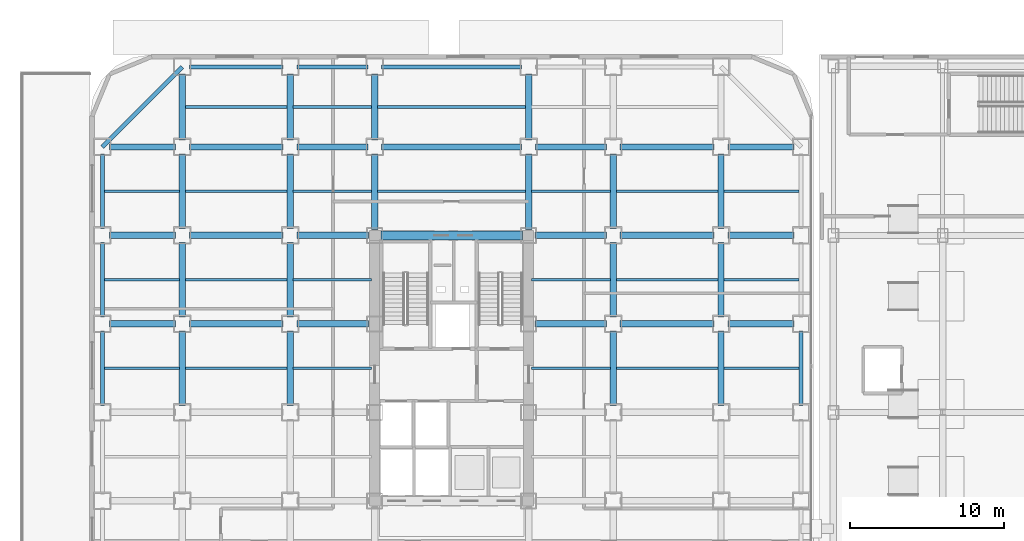
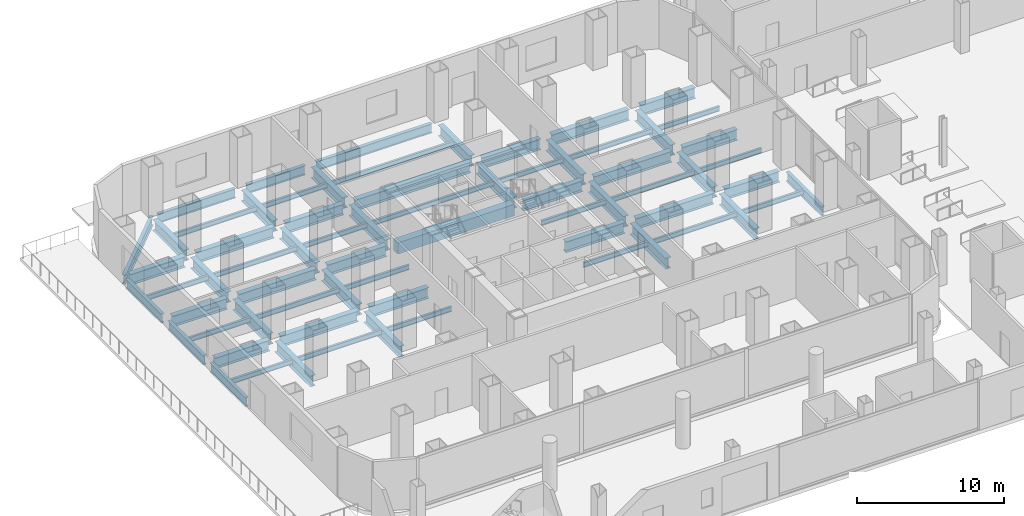
# One storey, part 12 of 31: 68 beams.
"""IFC4 building model written with IfcOpenShell, lengths in metres."""

import ifcopenshell
import ifcopenshell.guid

model = None  # the IFC model being written
_history = None  # IfcOwnerHistory: only IFC2X3 demands one
_inside = {}  # id of a spatial element -> (the spatial element, [elements in it])
_under = {}  # id of a project, library or spatial element -> (it, [spatial elements below it])
_declared = {}  # id of a project -> (the project, [libraries it declares])
_typed = {}  # id of a type object -> (the type object, [elements of that type])
_made_of = {}  # id of a material, layer set ... -> (it, [elements and type objects made of it])


def new_model(schema):
    """Start an empty IFC model of exactly this schema.

    Asked for "IFC4X3", IfcOpenShell would pick the latest addendum, in which some entities
    have other attributes; the version numbers below select the first issue.
    IFC2X3 requires an IfcOwnerHistory on every rooted entity: one is made here for all.
    """
    global model, _history
    if schema == "IFC4X3":
        model = ifcopenshell.file(schema_version=(4, 3, 0, 0))
    else:
        model = ifcopenshell.file(schema=schema)
    _inside.clear()
    _under.clear()
    _declared.clear()
    _typed.clear()
    _made_of.clear()
    _history = None
    if model.schema == "IFC2X3":
        org = make("IfcOrganization", Name="unknown")
        user = make(
            "IfcPersonAndOrganization",
            ThePerson=make("IfcPerson", FamilyName="unknown"),
            TheOrganization=org,
        )
        app = make(
            "IfcApplication",
            ApplicationDeveloper=org,
            Version="unknown",
            ApplicationFullName="unknown",
            ApplicationIdentifier="unknown",
        )
        _history = make(
            "IfcOwnerHistory",
            OwningUser=user,
            OwningApplication=app,
            ChangeAction="ADDED",
            CreationDate=0,
        )
    return model


def make(cls, **values):
    """One entity of the class cls with the attributes given. An attribute that is None is left unset."""
    return model.create_entity(
        cls, **{name: value for name, value in values.items() if value is not None}
    )


def rooted(cls, **values):
    """An entity with a GlobalId (a new one), such as an element, a storey or a relation."""
    return make(cls, GlobalId=ifcopenshell.guid.new(), OwnerHistory=_history, **values)


def si_unit(unit_type, name, prefix=None):
    """IfcSIUnit, for example si_unit("LENGTHUNIT", "METRE", prefix="MILLI")."""
    return make("IfcSIUnit", UnitType=unit_type, Prefix=prefix, Name=name)


def assignment(units):
    """IfcUnitAssignment: the units of a project."""
    return None if units is None else make("IfcUnitAssignment", Units=units)


def point(xyz):
    """IfcCartesianPoint."""
    return None if xyz is None else make("IfcCartesianPoint", Coordinates=xyz)


def direction(xyz):
    """IfcDirection."""
    return None if xyz is None else make("IfcDirection", DirectionRatios=xyz)


def frame(location, z_axis=None, x_axis=None):
    """IfcAxis2Placement3D, a coordinate frame: its origin and axes. An axis left out is left unset."""
    return make(
        "IfcAxis2Placement3D",
        Location=point(location),
        Axis=direction(z_axis),
        RefDirection=direction(x_axis),
    )


def frame_2d(location, x_axis=None):
    """IfcAxis2Placement2D, a coordinate frame in the plane: its origin and x axis."""
    return make(
        "IfcAxis2Placement2D", Location=point(location), RefDirection=direction(x_axis)
    )


def origin():
    """The frame at (0, 0, 0) with its axes left unset."""
    return frame((0.0, 0.0, 0.0))


def origin_2d():
    """The frame at (0, 0) in the plane with its x axis left unset."""
    return frame_2d((0.0, 0.0))


def place(relative_to, where):
    """IfcLocalPlacement: puts the frame where relative to a parent placement (None: the world)."""
    return make(
        "IfcLocalPlacement", PlacementRelTo=relative_to, RelativePlacement=where
    )


def context(
    kind, dimensions, precision=None, world=None, true_north=None, identifier=None
):
    """IfcGeometricRepresentationContext, for example the 3D "Model" context."""
    return make(
        "IfcGeometricRepresentationContext",
        ContextIdentifier=identifier,
        ContextType=kind,
        CoordinateSpaceDimension=dimensions,
        Precision=precision,
        WorldCoordinateSystem=world,
        TrueNorth=true_north,
    )


def subcontext(parent, identifier, kind, view, scale=None):
    """IfcGeometricRepresentationSubContext, for example "Body" below "Model"."""
    return make(
        "IfcGeometricRepresentationSubContext",
        ContextIdentifier=identifier,
        ContextType=kind,
        ParentContext=parent,
        TargetScale=scale,
        TargetView=view,
    )


def project(units=None, contexts=None):
    """IfcProject with its units and contexts."""
    return rooted(
        "IfcProject",
        Name="project",
        RepresentationContexts=contexts,
        UnitsInContext=assignment(units),
    )


def spatial(cls, under=None, at=None, **own):
    """A site, building, storey or space (cls), placed at a placement, below another one or the project."""
    s = rooted(cls, ObjectPlacement=at, **own)
    if under is not None:
        _under.setdefault(under.id(), (under, []))[1].append(s)
    return s


def profile(cls, at=None, kind="AREA", **sizes):
    """A parametric profile (cls). Its sizes go by their IFC names, for example OverallWidth=200.0."""
    return make(cls, ProfileType=kind, Position=at, **sizes)


def rectangle(**sizes):
    """IfcRectangleProfileDef."""
    return profile("IfcRectangleProfileDef", **sizes)


def i_section(**sizes):
    """IfcIShapeProfileDef."""
    return profile("IfcIShapeProfileDef", **sizes)


def extrude(swept, where, along, depth):
    """IfcExtrudedAreaSolid: the profile swept, set in the frame where, extruded along a direction by depth."""
    return make(
        "IfcExtrudedAreaSolid",
        SweptArea=swept,
        Position=where,
        ExtrudedDirection=direction(along),
        Depth=depth,
    )


def shape(context_of_items, identifier, shape_type, items):
    """IfcShapeRepresentation: the items that make up one representation, for example the "Body"."""
    return make(
        "IfcShapeRepresentation",
        ContextOfItems=context_of_items,
        RepresentationIdentifier=identifier,
        RepresentationType=shape_type,
        Items=items,
    )


def source(mapping_origin, context_of_items, identifier, shape_type, items):
    """IfcRepresentationMap: a shape defined once, which mapped items show again and again."""
    return make(
        "IfcRepresentationMap",
        MappingOrigin=mapping_origin,
        MappedRepresentation=shape(context_of_items, identifier, shape_type, items),
    )


def transform(
    local_origin,
    x_axis=None,
    y_axis=None,
    z_axis=None,
    scale=None,
    scale2=None,
    scale3=None,
    uniform=True,
):
    """IfcCartesianTransformationOperator3D, or its non-uniform kind. x_axis, y_axis, z_axis: its Axis1, 2, 3."""
    if uniform:
        return make(
            "IfcCartesianTransformationOperator3D",
            Axis1=direction(x_axis),
            Axis2=direction(y_axis),
            LocalOrigin=point(local_origin),
            Scale=scale,
            Axis3=direction(z_axis),
        )
    return make(
        "IfcCartesianTransformationOperator3DnonUniform",
        Axis1=direction(x_axis),
        Axis2=direction(y_axis),
        LocalOrigin=point(local_origin),
        Scale=scale,
        Axis3=direction(z_axis),
        Scale2=scale2,
        Scale3=scale3,
    )


def mapped(mapping_source, mapping_target):
    """IfcMappedItem: shows the shape of a source again, moved by a transform."""
    return make(
        "IfcMappedItem", MappingSource=mapping_source, MappingTarget=mapping_target
    )


def material(Name=None, Category=None):
    """IfcMaterial."""
    return make("IfcMaterial", Name=Name, Category=Category)


def material_profile(
    of_material, cross_section, Name=None, Category=None, Priority=None
):
    """IfcMaterialProfile: a cross section and its material."""
    return make(
        "IfcMaterialProfile",
        Name=Name,
        Material=of_material,
        Profile=cross_section,
        Priority=Priority,
        Category=Category,
    )


def profile_set(profiles, Name=None, composite=None):
    """IfcMaterialProfileSet."""
    return make(
        "IfcMaterialProfileSet",
        Name=Name,
        MaterialProfiles=profiles,
        CompositeProfile=composite,
    )


def made_of(thing, what):
    """Note that an element or type object is made of a material, layer set ...; save() writes the relation."""
    if what is not None:
        _made_of.setdefault(what.id(), (what, []))[1].append(thing)
    return thing


def type_object(cls, material=None, **own):
    """A type object (cls), such as IfcWallType, which elements share."""
    return made_of(rooted(cls, **own), material)


def element(
    cls,
    number,
    at=None,
    inside=None,
    cuts=None,
    type_object=None,
    material=None,
    context=None,
    identifier="Body",
    shape_type=None,
    held_by="IfcProductDefinitionShape",
    body=None,
    shapes=None,
    **own,
):
    """One element of the class cls, such as IfcWall. Its Tag is "e" and its number.

    at: its placement. inside: the storey or other place that contains it. cuts: it is an
    opening in that element (IfcRelVoidsElement). A single representation is given by context,
    identifier, shape_type and body (its items); several are given by shapes. held_by: the class
    of the entity that holds the representations. save() writes the other relations.
    """
    e = rooted(cls, Tag="e%d" % number, ObjectPlacement=at, **own)
    if body is not None:
        shapes = [shape(context, identifier, shape_type, body)]
    if shapes is not None:
        e.Representation = make(held_by, Representations=shapes)
    if inside is not None:
        _inside.setdefault(inside.id(), (inside, []))[1].append(e)
    if cuts is not None:
        rooted(
            "IfcRelVoidsElement", RelatingBuildingElement=cuts, RelatedOpeningElement=e
        )
    if type_object is not None:
        _typed.setdefault(type_object.id(), (type_object, []))[1].append(e)
    return made_of(e, material)


def aggregate(whole, parts):
    """IfcRelAggregates: a whole, such as a stair, and the parts it consists of."""
    return rooted("IfcRelAggregates", RelatingObject=whole, RelatedObjects=parts)


def save(model, path):
    """Write the relations noted so far, then the file.

    IfcRelAggregates (storeys below a building ...), IfcRelContainedInSpatialStructure (elements
    in a storey), IfcRelDefinesByType, IfcRelAssociatesMaterial and IfcRelDeclares: one each for
    every whole, place, type object, material and project.
    """
    for whole, parts in _under.values():
        aggregate(whole, parts)
    for where, things in _inside.values():
        rooted(
            "IfcRelContainedInSpatialStructure",
            RelatedElements=things,
            RelatingStructure=where,
        )
    for kind, things in _typed.values():
        rooted("IfcRelDefinesByType", RelatedObjects=things, RelatingType=kind)
    for what, things in _made_of.values():
        rooted("IfcRelAssociatesMaterial", RelatedObjects=things, RelatingMaterial=what)
    for by, libraries in _declared.values():
        rooted("IfcRelDeclares", RelatingContext=by, RelatedDefinitions=libraries)
    model.write(path)


model = new_model("IFC4")

# Units and contexts
model_context = context("Model", 3, precision=1e-05, world=origin(), true_north=direction((0.0, 1.0)))
body_context = subcontext(model_context, "Body", "Model", "MODEL_VIEW")
ifc_project = project(units=[si_unit("LENGTHUNIT", "METRE"), si_unit("AREAUNIT", "SQUARE_METRE"), si_unit("VOLUMEUNIT", "CUBIC_METRE"), si_unit("PLANEANGLEUNIT", "RADIAN"), si_unit("MASSUNIT", "GRAM", prefix="KILO")], contexts=[model_context])

# Site, building, storey
site_placement = place(None, origin())
site = spatial("IfcSite", under=ifc_project, at=site_placement, CompositionType="ELEMENT")
building_placement = place(site_placement, origin())
building = spatial("IfcBuilding", under=site, at=building_placement, Name="Kolveth Station Tower", CompositionType="ELEMENT")
storey_placement = place(building_placement, origin())
storey = spatial("IfcBuildingStorey", under=building, at=storey_placement, Name="L00", CompositionType="ELEMENT", Elevation=0.0)

# Beams
ifc_material_1 = material(Name="Steel S355", Category="steel")
ifc_material_profile_1 = material_profile(ifc_material_1, i_section(OverallWidth=0.26904296875, OverallDepth=0.77490234375, WebThickness=0.01708984375, FlangeThickness=0.0283203125, at=origin_2d()), Name="W760x220")
ifc_profile_set_1 = profile_set([ifc_material_profile_1], Name="Steel S355")
beam_type_1 = type_object("IfcBeamType", Name="Beam_SP1", PredefinedType="SPANDREL", material=ifc_profile_set_1)
shared_shape_1 = source(origin(), body_context, "Body", "SweptSolid", [
    extrude(i_section(OverallWidth=0.26904296875, OverallDepth=0.77490234375, WebThickness=0.01708984375, FlangeThickness=0.0283203125, at=origin_2d()), origin(), (0.0, 0.0, 1.0), 6.10009765625),
])
beam_1_placement = place(storey_placement, frame((6.449951171875, 39.699951171875, -0.70751953125), z_axis=(1.0, 0.0, 0.0), x_axis=(0.0, 1.0, 0.0)))
element("IfcBeam", 1, at=beam_1_placement, inside=storey, type_object=beam_type_1, Name="L00 Perimeter Spandrel BM-L00-PN-1", PredefinedType="SPANDREL", context=body_context, shape_type="MappedRepresentation", body=[
    mapped(shared_shape_1, transform((0.0, 0.0, 0.0), x_axis=(1.0, 0.0, 0.0), y_axis=(0.0, 1.0, 0.0), z_axis=(0.0, 0.0, 1.0), scale=1.0)),
])
shared_shape_2 = source(origin(), body_context, "Body", "SweptSolid", [
    extrude(i_section(OverallWidth=0.26904296875, OverallDepth=0.77490234375, WebThickness=0.01708984375, FlangeThickness=0.0283203125, at=origin_2d()), origin(), (0.0, 0.0, 1.0), 4.60009765625),
])
beam_2_placement = place(storey_placement, frame((13.449951171875, 39.699951171875, -0.70751953125), z_axis=(1.0, 0.0, 0.0), x_axis=(0.0, 1.0, 0.0)))
element("IfcBeam", 2, at=beam_2_placement, inside=storey, type_object=beam_type_1, Name="L00 Perimeter Spandrel BM-L00-PN-2", PredefinedType="SPANDREL", context=body_context, shape_type="MappedRepresentation", body=[
    mapped(shared_shape_2, transform((0.0, 0.0, 0.0), x_axis=(1.0, 0.0, 0.0), y_axis=(0.0, 1.0, 0.0), z_axis=(0.0, 0.0, 1.0), scale=1.0)),
])
shared_shape_3 = source(origin(), body_context, "Body", "SweptSolid", [
    extrude(i_section(OverallWidth=0.26904296875, OverallDepth=0.77490234375, WebThickness=0.01708984375, FlangeThickness=0.0283203125, at=origin_2d()), origin(), (0.0, 0.0, 1.0), 9.10009765625),
])
beam_3_placement = place(storey_placement, frame((18.949951171875, 39.699951171875, -0.70751953125), z_axis=(1.0, 0.0, 0.0), x_axis=(0.0, 1.0, 0.0)))
element("IfcBeam", 3, at=beam_3_placement, inside=storey, type_object=beam_type_1, Name="L00 Perimeter Spandrel BM-L00-PN-3", PredefinedType="SPANDREL", context=body_context, shape_type="MappedRepresentation", body=[
    mapped(shared_shape_3, transform((0.0, 0.0, 0.0), x_axis=(1.0, 0.0, 0.0), y_axis=(0.0, 1.0, 0.0), z_axis=(0.0, 0.0, 1.0), scale=1.0)),
])
shared_shape_4 = source(origin(), body_context, "Body", "SweptSolid", [
    extrude(i_section(OverallWidth=0.26904296875, OverallDepth=0.77490234375, WebThickness=0.01708984375, FlangeThickness=0.0283203125, at=origin_2d()), origin(), (0.0, 0.0, 1.0), 4.85009765625),
])
for number, where, z_axis, x_axis, name in (
    (4, (0.800048828125, 17.699951171875, -0.70751953125), (0.0, 1.0, 0.0), (-1.0, 0.0, 0.0), "L00 Perimeter Spandrel BM-L00-PW-3"),
    (5, (0.800048828125, 23.449951171875, -0.70751953125), (0.0, 1.0, 0.0), (-1.0, 0.0, 0.0), "L00 Perimeter Spandrel BM-L00-PW-4"),
    (6, (0.800048828125, 29.199951171875, -0.70751953125), (0.0, 1.0, 0.0), (-1.0, 0.0, 0.0), "L00 Perimeter Spandrel BM-L00-PW-5"),
    (7, (46.199951171875, 17.699951171875, -0.70751953125), (0.0, 1.0, 0.0), (-1.0, 0.0, 0.0), "L00 Perimeter Spandrel BM-L00-PE-3"),
):
    element("IfcBeam", number, at=place(storey_placement, frame(where, z_axis=z_axis, x_axis=x_axis)), inside=storey, type_object=beam_type_1, Name=name, PredefinedType="SPANDREL", context=body_context, shape_type="MappedRepresentation", body=[
        mapped(shared_shape_4, transform((0.0, 0.0, 0.0), x_axis=(1.0, 0.0, 0.0), y_axis=(0.0, 1.0, 0.0), z_axis=(0.0, 0.0, 1.0), scale=1.0)),
    ])
shared_shape_5 = source(origin(), body_context, "Body", "SweptSolid", [
    extrude(i_section(OverallWidth=0.26904296875, OverallDepth=0.77490234375, WebThickness=0.01708984375, FlangeThickness=0.0283203125, at=origin_2d()), origin(), (0.0, 0.0, 1.0), 7.353759765625),
])
beam_4_placement = place(storey_placement, frame((6.0, 39.699951171875, -0.70751953125), z_axis=(-0.707106781187, -0.707106781187, 0.0), x_axis=(0.707106781187, -0.707106781187, 0.0)))
element("IfcBeam", 8, at=beam_4_placement, inside=storey, type_object=beam_type_1, Name="L00 Corner Edge Girder BM-L00-CNR-NW", PredefinedType="SPANDREL", context=body_context, shape_type="MappedRepresentation", body=[
    mapped(shared_shape_5, transform((0.0, 0.0, 0.0), x_axis=(1.0, 0.0, 0.0), y_axis=(0.0, 1.0, 0.0), z_axis=(0.0, 0.0, 1.0), scale=1.0)),
])
ifc_material_profile_2 = material_profile(ifc_material_1, i_section(OverallWidth=0.41796875, OverallDepth=0.912109375, WebThickness=0.019287109375, FlangeThickness=0.031982421875, at=origin_2d()), Name="W920x342")
ifc_profile_set_2 = profile_set([ifc_material_profile_2], Name="Steel S355")
beam_type_2 = type_object("IfcBeamType", Name="Beam_B1", PredefinedType="BEAM", material=ifc_profile_set_2)
shared_shape_6 = source(origin(), body_context, "Body", "SweptSolid", [
    extrude(i_section(OverallWidth=0.41796875, OverallDepth=0.912109375, WebThickness=0.019287109375, FlangeThickness=0.031982421875, at=origin_2d()), origin(), (0.0, 0.0, 1.0), 4.300048828125),
])
for number, where, z_axis, x_axis, name in (
    (9, (1.25, 23.0, -0.77587890625), (1.0, 0.0, 0.0), (0.0, 1.0, 0.0), "L00 Primary Girder BM-L00-GY230-1"),
    (10, (41.449951171875, 23.0, -0.77587890625), (1.0, 0.0, 0.0), (0.0, 1.0, 0.0), "L00 Primary Girder BM-L00-GY230-7"),
    (11, (1.25, 28.75, -0.77587890625), (1.0, 0.0, 0.0), (0.0, 1.0, 0.0), "L00 Primary Girder BM-L00-GY287-1"),
    (12, (41.449951171875, 28.75, -0.77587890625), (1.0, 0.0, 0.0), (0.0, 1.0, 0.0), "L00 Primary Girder BM-L00-GY287-7"),
    (13, (1.25, 34.5, -0.77587890625), (1.0, 0.0, 0.0), (0.0, 1.0, 0.0), "L00 Primary Girder BM-L00-GY345-1"),
    (14, (41.449951171875, 34.5, -0.77587890625), (1.0, 0.0, 0.0), (0.0, 1.0, 0.0), "L00 Primary Girder BM-L00-GY345-7"),
    (15, (6.0, 34.949951171875, -0.77587890625), (0.0, 1.0, 0.0), (-1.0, 0.0, 0.0), "L00 Primary Girder BM-L00-GX60-7"),
    (16, (13.0, 34.949951171875, -0.77587890625), (0.0, 1.0, 0.0), (-1.0, 0.0, 0.0), "L00 Primary Girder BM-L00-GX130-7"),
    (17, (18.5, 34.949951171875, -0.77587890625), (0.0, 1.0, 0.0), (-1.0, 0.0, 0.0), "L00 Primary Girder BM-L00-GX185-7"),
    (18, (28.5, 34.949951171875, -0.77587890625), (0.0, 1.0, 0.0), (-1.0, 0.0, 0.0), "L00 Primary Girder BM-L00-GX285-7"),
):
    element("IfcBeam", number, at=place(storey_placement, frame(where, z_axis=z_axis, x_axis=x_axis)), inside=storey, type_object=beam_type_2, Name=name, PredefinedType="BEAM", context=body_context, shape_type="MappedRepresentation", body=[
        mapped(shared_shape_6, transform((0.0, 0.0, 0.0), x_axis=(1.0, 0.0, 0.0), y_axis=(0.0, 1.0, 0.0), z_axis=(0.0, 0.0, 1.0), scale=1.0)),
    ])
shared_shape_7 = source(origin(), body_context, "Body", "SweptSolid", [
    extrude(i_section(OverallWidth=0.41796875, OverallDepth=0.912109375, WebThickness=0.019287109375, FlangeThickness=0.031982421875, at=origin_2d()), origin(), (0.0, 0.0, 1.0), 6.10009765625),
])
for number, where, z_axis, x_axis, name in (
    (19, (6.449951171875, 23.0, -0.77587890625), (1.0, 0.0, 0.0), (0.0, 1.0, 0.0), "L00 Primary Girder BM-L00-GY230-2"),
    (20, (34.449951171875, 23.0, -0.77587890625), (1.0, 0.0, 0.0), (0.0, 1.0, 0.0), "L00 Primary Girder BM-L00-GY230-6"),
    (21, (6.449951171875, 28.75, -0.77587890625), (1.0, 0.0, 0.0), (0.0, 1.0, 0.0), "L00 Primary Girder BM-L00-GY287-2"),
    (22, (34.449951171875, 28.75, -0.77587890625), (1.0, 0.0, 0.0), (0.0, 1.0, 0.0), "L00 Primary Girder BM-L00-GY287-6"),
    (23, (6.449951171875, 34.5, -0.77587890625), (1.0, 0.0, 0.0), (0.0, 1.0, 0.0), "L00 Primary Girder BM-L00-GY345-2"),
    (24, (34.449951171875, 34.5, -0.77587890625), (1.0, 0.0, 0.0), (0.0, 1.0, 0.0), "L00 Primary Girder BM-L00-GY345-6"),
):
    element("IfcBeam", number, at=place(storey_placement, frame(where, z_axis=z_axis, x_axis=x_axis)), inside=storey, type_object=beam_type_2, Name=name, PredefinedType="BEAM", context=body_context, shape_type="MappedRepresentation", body=[
        mapped(shared_shape_7, transform((0.0, 0.0, 0.0), x_axis=(1.0, 0.0, 0.0), y_axis=(0.0, 1.0, 0.0), z_axis=(0.0, 0.0, 1.0), scale=1.0)),
    ])
shared_shape_8 = source(origin(), body_context, "Body", "SweptSolid", [
    extrude(i_section(OverallWidth=0.41796875, OverallDepth=0.912109375, WebThickness=0.019287109375, FlangeThickness=0.031982421875, at=origin_2d()), origin(), (0.0, 0.0, 1.0), 4.60009765625),
])
for number, where, z_axis, x_axis, name in (
    (25, (13.449951171875, 34.5, -0.77587890625), (1.0, 0.0, 0.0), (0.0, 1.0, 0.0), "L00 Primary Girder BM-L00-GY345-3"),
    (26, (28.949951171875, 34.5, -0.77587890625), (1.0, 0.0, 0.0), (0.0, 1.0, 0.0), "L00 Primary Girder BM-L00-GY345-5"),
):
    element("IfcBeam", number, at=place(storey_placement, frame(where, z_axis=z_axis, x_axis=x_axis)), inside=storey, type_object=beam_type_2, Name=name, PredefinedType="BEAM", context=body_context, shape_type="MappedRepresentation", body=[
        mapped(shared_shape_8, transform((0.0, 0.0, 0.0), x_axis=(1.0, 0.0, 0.0), y_axis=(0.0, 1.0, 0.0), z_axis=(0.0, 0.0, 1.0), scale=1.0)),
    ])
shared_shape_9 = source(origin(), body_context, "Body", "SweptSolid", [
    extrude(i_section(OverallWidth=0.41796875, OverallDepth=0.912109375, WebThickness=0.019287109375, FlangeThickness=0.031982421875, at=origin_2d()), origin(), (0.0, 0.0, 1.0), 9.10009765625),
])
beam_5_placement = place(storey_placement, frame((18.949951171875, 34.5, -0.77587890625), z_axis=(1.0, 0.0, 0.0), x_axis=(0.0, 1.0, 0.0)))
element("IfcBeam", 27, at=beam_5_placement, inside=storey, type_object=beam_type_2, Name="L00 Primary Girder BM-L00-GY345-4", PredefinedType="BEAM", context=body_context, shape_type="MappedRepresentation", body=[
    mapped(shared_shape_9, transform((0.0, 0.0, 0.0), x_axis=(1.0, 0.0, 0.0), y_axis=(0.0, 1.0, 0.0), z_axis=(0.0, 0.0, 1.0), scale=1.0)),
])
shared_shape_10 = source(origin(), body_context, "Body", "SweptSolid", [
    extrude(i_section(OverallWidth=0.41796875, OverallDepth=0.912109375, WebThickness=0.019287109375, FlangeThickness=0.031982421875, at=origin_2d()), origin(), (0.0, 0.0, 1.0), 4.650146484375),
])
for number, where, z_axis, x_axis, name in (
    (28, (13.449951171875, 23.0, -0.77587890625), (1.0, 0.0, 0.0), (0.0, 1.0, 0.0), "L00 Primary Girder BM-L00-GY230-3"),
    (29, (28.89990234375, 23.0, -0.77587890625), (1.0, 0.0, 0.0), (0.0, 1.0, 0.0), "L00 Primary Girder BM-L00-GY230-5"),
    (30, (13.449951171875, 28.75, -0.77587890625), (1.0, 0.0, 0.0), (0.0, 1.0, 0.0), "L00 Primary Girder BM-L00-GY287-3"),
    (31, (28.89990234375, 28.75, -0.77587890625), (1.0, 0.0, 0.0), (0.0, 1.0, 0.0), "L00 Primary Girder BM-L00-GY287-5"),
):
    element("IfcBeam", number, at=place(storey_placement, frame(where, z_axis=z_axis, x_axis=x_axis)), inside=storey, type_object=beam_type_2, Name=name, PredefinedType="BEAM", context=body_context, shape_type="MappedRepresentation", body=[
        mapped(shared_shape_10, transform((0.0, 0.0, 0.0), x_axis=(1.0, 0.0, 0.0), y_axis=(0.0, 1.0, 0.0), z_axis=(0.0, 0.0, 1.0), scale=1.0)),
    ])
ifc_material_2 = material(Name="Concrete C60/75", Category="concrete")
ifc_material_profile_3 = material_profile(ifc_material_2, rectangle(XDim=0.60009765625, YDim=0.949951171875, at=origin_2d()), Name="RC-600x950")
ifc_profile_set_3 = profile_set([ifc_material_profile_3], Name="Concrete C60/75")
beam_type_3 = type_object("IfcBeamType", Name="Beam_CB1", PredefinedType="BEAM", material=ifc_profile_set_3)
shared_shape_11 = source(origin(), body_context, "Body", "SweptSolid", [
    extrude(rectangle(XDim=0.60009765625, YDim=0.949951171875, at=origin_2d()), origin(), (0.0, 0.0, 1.0), 9.2001953125),
])
beam_6_placement = place(storey_placement, frame((18.89990234375, 28.75, -0.794921875), z_axis=(1.0, 0.0, 0.0), x_axis=(0.0, 1.0, 0.0)))
element("IfcBeam", 32, at=beam_6_placement, inside=storey, type_object=beam_type_3, Name="L00 Core Coupling Beam BM-L00-CB-Y287", PredefinedType="BEAM", context=body_context, shape_type="MappedRepresentation", body=[
    mapped(shared_shape_11, transform((0.0, 0.0, 0.0), x_axis=(1.0, 0.0, 0.0), y_axis=(0.0, 1.0, 0.0), z_axis=(0.0, 0.0, 1.0), scale=1.0)),
])
shared_shape_12 = source(origin(), body_context, "Body", "SweptSolid", [
    extrude(i_section(OverallWidth=0.41796875, OverallDepth=0.912109375, WebThickness=0.019287109375, FlangeThickness=0.031982421875, at=origin_2d()), origin(), (0.0, 0.0, 1.0), 4.85009765625),
])
for number, where, z_axis, x_axis, name in (
    (33, (6.0, 17.699951171875, -0.77587890625), (0.0, 1.0, 0.0), (-1.0, 0.0, 0.0), "L00 Primary Girder BM-L00-GX60-4"),
    (34, (6.0, 23.449951171875, -0.77587890625), (0.0, 1.0, 0.0), (-1.0, 0.0, 0.0), "L00 Primary Girder BM-L00-GX60-5"),
    (35, (6.0, 29.199951171875, -0.77587890625), (0.0, 1.0, 0.0), (-1.0, 0.0, 0.0), "L00 Primary Girder BM-L00-GX60-6"),
    (36, (13.0, 17.699951171875, -0.77587890625), (0.0, 1.0, 0.0), (-1.0, 0.0, 0.0), "L00 Primary Girder BM-L00-GX130-4"),
    (37, (13.0, 23.449951171875, -0.77587890625), (0.0, 1.0, 0.0), (-1.0, 0.0, 0.0), "L00 Primary Girder BM-L00-GX130-5"),
    (38, (13.0, 29.199951171875, -0.77587890625), (0.0, 1.0, 0.0), (-1.0, 0.0, 0.0), "L00 Primary Girder BM-L00-GX130-6"),
    (39, (34.0, 17.699951171875, -0.77587890625), (0.0, 1.0, 0.0), (-1.0, 0.0, 0.0), "L00 Primary Girder BM-L00-GX340-4"),
    (40, (34.0, 23.449951171875, -0.77587890625), (0.0, 1.0, 0.0), (-1.0, 0.0, 0.0), "L00 Primary Girder BM-L00-GX340-5"),
    (41, (34.0, 29.199951171875, -0.77587890625), (0.0, 1.0, 0.0), (-1.0, 0.0, 0.0), "L00 Primary Girder BM-L00-GX340-6"),
    (42, (41.0, 17.699951171875, -0.77587890625), (0.0, 1.0, 0.0), (-1.0, 0.0, 0.0), "L00 Primary Girder BM-L00-GX410-4"),
    (43, (41.0, 23.449951171875, -0.77587890625), (0.0, 1.0, 0.0), (-1.0, 0.0, 0.0), "L00 Primary Girder BM-L00-GX410-5"),
    (44, (41.0, 29.199951171875, -0.77587890625), (0.0, 1.0, 0.0), (-1.0, 0.0, 0.0), "L00 Primary Girder BM-L00-GX410-6"),
):
    element("IfcBeam", number, at=place(storey_placement, frame(where, z_axis=z_axis, x_axis=x_axis)), inside=storey, type_object=beam_type_2, Name=name, PredefinedType="BEAM", context=body_context, shape_type="MappedRepresentation", body=[
        mapped(shared_shape_12, transform((0.0, 0.0, 0.0), x_axis=(1.0, 0.0, 0.0), y_axis=(0.0, 1.0, 0.0), z_axis=(0.0, 0.0, 1.0), scale=1.0)),
    ])
shared_shape_13 = source(origin(), body_context, "Body", "SweptSolid", [
    extrude(i_section(OverallWidth=0.41796875, OverallDepth=0.912109375, WebThickness=0.019287109375, FlangeThickness=0.031982421875, at=origin_2d()), origin(), (0.0, 0.0, 1.0), 4.900146484375),
])
for number, where, z_axis, x_axis, name in (
    (45, (18.5, 29.14990234375, -0.77587890625), (0.0, 1.0, 0.0), (-1.0, 0.0, 0.0), "L00 Primary Girder BM-L00-GX185-6"),
    (46, (28.5, 29.14990234375, -0.77587890625), (0.0, 1.0, 0.0), (-1.0, 0.0, 0.0), "L00 Primary Girder BM-L00-GX285-6"),
):
    element("IfcBeam", number, at=place(storey_placement, frame(where, z_axis=z_axis, x_axis=x_axis)), inside=storey, type_object=beam_type_2, Name=name, PredefinedType="BEAM", context=body_context, shape_type="MappedRepresentation", body=[
        mapped(shared_shape_13, transform((0.0, 0.0, 0.0), x_axis=(1.0, 0.0, 0.0), y_axis=(0.0, 1.0, 0.0), z_axis=(0.0, 0.0, 1.0), scale=1.0)),
    ])
ifc_material_profile_4 = material_profile(ifc_material_1, i_section(OverallWidth=0.177978515625, OverallDepth=0.406982421875, WebThickness=0.0078125, FlangeThickness=0.0126953125, at=origin_2d()), Name="W410x60")
ifc_profile_set_4 = profile_set([ifc_material_profile_4], Name="Steel S355")
beam_type_4 = type_object("IfcBeamType", Name="Beam_J1", PredefinedType="JOIST", material=ifc_profile_set_4)
shared_shape_14 = source(origin(), body_context, "Body", "SweptSolid", [
    extrude(i_section(OverallWidth=0.177978515625, OverallDepth=0.406982421875, WebThickness=0.0078125, FlangeThickness=0.0126953125, at=origin_2d()), origin(), (0.0, 0.0, 1.0), 4.872314453125),
])
for number, where, z_axis, x_axis, name in (
    (47, (0.9326171875, 20.125, -0.5234375), (1.0, 0.0, 0.0), (0.0, 1.0, 0.0), "L00 Secondary Joist JST-L00-1-4"),
    (48, (0.9326171875, 25.875, -0.5234375), (1.0, 0.0, 0.0), (0.0, 1.0, 0.0), "L00 Secondary Joist JST-L00-1-5"),
    (49, (0.9326171875, 31.625, -0.5234375), (1.0, 0.0, 0.0), (0.0, 1.0, 0.0), "L00 Secondary Joist JST-L00-1-6"),
    (50, (41.195068359375, 20.125, -0.5234375), (1.0, 0.0, 0.0), (0.0, 1.0, 0.0), "L00 Secondary Joist JST-L00-7-4"),
    (51, (41.195068359375, 25.875, -0.5234375), (1.0, 0.0, 0.0), (0.0, 1.0, 0.0), "L00 Secondary Joist JST-L00-7-5"),
    (52, (41.195068359375, 31.625, -0.5234375), (1.0, 0.0, 0.0), (0.0, 1.0, 0.0), "L00 Secondary Joist JST-L00-7-6"),
):
    element("IfcBeam", number, at=place(storey_placement, frame(where, z_axis=z_axis, x_axis=x_axis)), inside=storey, type_object=beam_type_4, Name=name, PredefinedType="JOIST", context=body_context, shape_type="MappedRepresentation", body=[
        mapped(shared_shape_14, transform((0.0, 0.0, 0.0), x_axis=(1.0, 0.0, 0.0), y_axis=(0.0, 1.0, 0.0), z_axis=(0.0, 0.0, 1.0), scale=1.0)),
    ])
shared_shape_15 = source(origin(), body_context, "Body", "SweptSolid", [
    extrude(i_section(OverallWidth=0.177978515625, OverallDepth=0.406982421875, WebThickness=0.0078125, FlangeThickness=0.0126953125, at=origin_2d()), origin(), (0.0, 0.0, 1.0), 6.60986328125),
])
for number, where, z_axis, x_axis, name in (
    (53, (6.195068359375, 20.125, -0.5234375), (1.0, 0.0, 0.0), (0.0, 1.0, 0.0), "L00 Secondary Joist JST-L00-2-4"),
    (54, (6.195068359375, 25.875, -0.5234375), (1.0, 0.0, 0.0), (0.0, 1.0, 0.0), "L00 Secondary Joist JST-L00-2-5"),
    (55, (6.195068359375, 31.625, -0.5234375), (1.0, 0.0, 0.0), (0.0, 1.0, 0.0), "L00 Secondary Joist JST-L00-2-6"),
    (56, (6.195068359375, 37.10009765625, -0.5234375), (1.0, 0.0, 0.0), (0.0, 1.0, 0.0), "L00 Secondary Joist JST-L00-2-7"),
    (57, (34.195068359375, 20.125, -0.5234375), (1.0, 0.0, 0.0), (0.0, 1.0, 0.0), "L00 Secondary Joist JST-L00-6-4"),
    (58, (34.195068359375, 25.875, -0.5234375), (1.0, 0.0, 0.0), (0.0, 1.0, 0.0), "L00 Secondary Joist JST-L00-6-5"),
    (59, (34.195068359375, 31.625, -0.5234375), (1.0, 0.0, 0.0), (0.0, 1.0, 0.0), "L00 Secondary Joist JST-L00-6-6"),
):
    element("IfcBeam", number, at=place(storey_placement, frame(where, z_axis=z_axis, x_axis=x_axis)), inside=storey, type_object=beam_type_4, Name=name, PredefinedType="JOIST", context=body_context, shape_type="MappedRepresentation", body=[
        mapped(shared_shape_15, transform((0.0, 0.0, 0.0), x_axis=(1.0, 0.0, 0.0), y_axis=(0.0, 1.0, 0.0), z_axis=(0.0, 0.0, 1.0), scale=1.0)),
    ])
shared_shape_16 = source(origin(), body_context, "Body", "SweptSolid", [
    extrude(i_section(OverallWidth=0.177978515625, OverallDepth=0.406982421875, WebThickness=0.0078125, FlangeThickness=0.0126953125, at=origin_2d()), origin(), (0.0, 0.0, 1.0), 5.10986328125),
])
for number, where, z_axis, x_axis, name in (
    (60, (13.195068359375, 20.125, -0.5234375), (1.0, 0.0, 0.0), (0.0, 1.0, 0.0), "L00 Secondary Joist JST-L00-3-4"),
    (61, (13.195068359375, 25.875, -0.5234375), (1.0, 0.0, 0.0), (0.0, 1.0, 0.0), "L00 Secondary Joist JST-L00-3-5"),
    (62, (13.195068359375, 31.625, -0.5234375), (1.0, 0.0, 0.0), (0.0, 1.0, 0.0), "L00 Secondary Joist JST-L00-3-6"),
    (63, (13.195068359375, 37.10009765625, -0.5234375), (1.0, 0.0, 0.0), (0.0, 1.0, 0.0), "L00 Secondary Joist JST-L00-3-7"),
    (64, (28.695068359375, 20.125, -0.5234375), (1.0, 0.0, 0.0), (0.0, 1.0, 0.0), "L00 Secondary Joist JST-L00-5-4"),
    (65, (28.695068359375, 25.875, -0.5234375), (1.0, 0.0, 0.0), (0.0, 1.0, 0.0), "L00 Secondary Joist JST-L00-5-5"),
    (66, (28.695068359375, 31.625, -0.5234375), (1.0, 0.0, 0.0), (0.0, 1.0, 0.0), "L00 Secondary Joist JST-L00-5-6"),
):
    element("IfcBeam", number, at=place(storey_placement, frame(where, z_axis=z_axis, x_axis=x_axis)), inside=storey, type_object=beam_type_4, Name=name, PredefinedType="JOIST", context=body_context, shape_type="MappedRepresentation", body=[
        mapped(shared_shape_16, transform((0.0, 0.0, 0.0), x_axis=(1.0, 0.0, 0.0), y_axis=(0.0, 1.0, 0.0), z_axis=(0.0, 0.0, 1.0), scale=1.0)),
    ])
shared_shape_17 = source(origin(), body_context, "Body", "SweptSolid", [
    extrude(i_section(OverallWidth=0.177978515625, OverallDepth=0.406982421875, WebThickness=0.0078125, FlangeThickness=0.0126953125, at=origin_2d()), origin(), (0.0, 0.0, 1.0), 9.60986328125),
])
for number, where, z_axis, x_axis, name in (
    (67, (18.695068359375, 31.625, -0.5234375), (1.0, 0.0, 0.0), (0.0, 1.0, 0.0), "L00 Secondary Joist JST-L00-4-6"),
    (68, (18.695068359375, 37.10009765625, -0.5234375), (1.0, 0.0, 0.0), (0.0, 1.0, 0.0), "L00 Secondary Joist JST-L00-4-7"),
):
    element("IfcBeam", number, at=place(storey_placement, frame(where, z_axis=z_axis, x_axis=x_axis)), inside=storey, type_object=beam_type_4, Name=name, PredefinedType="JOIST", context=body_context, shape_type="MappedRepresentation", body=[
        mapped(shared_shape_17, transform((0.0, 0.0, 0.0), x_axis=(1.0, 0.0, 0.0), y_axis=(0.0, 1.0, 0.0), z_axis=(0.0, 0.0, 1.0), scale=1.0)),
    ])

save(model, "model.ifc")
